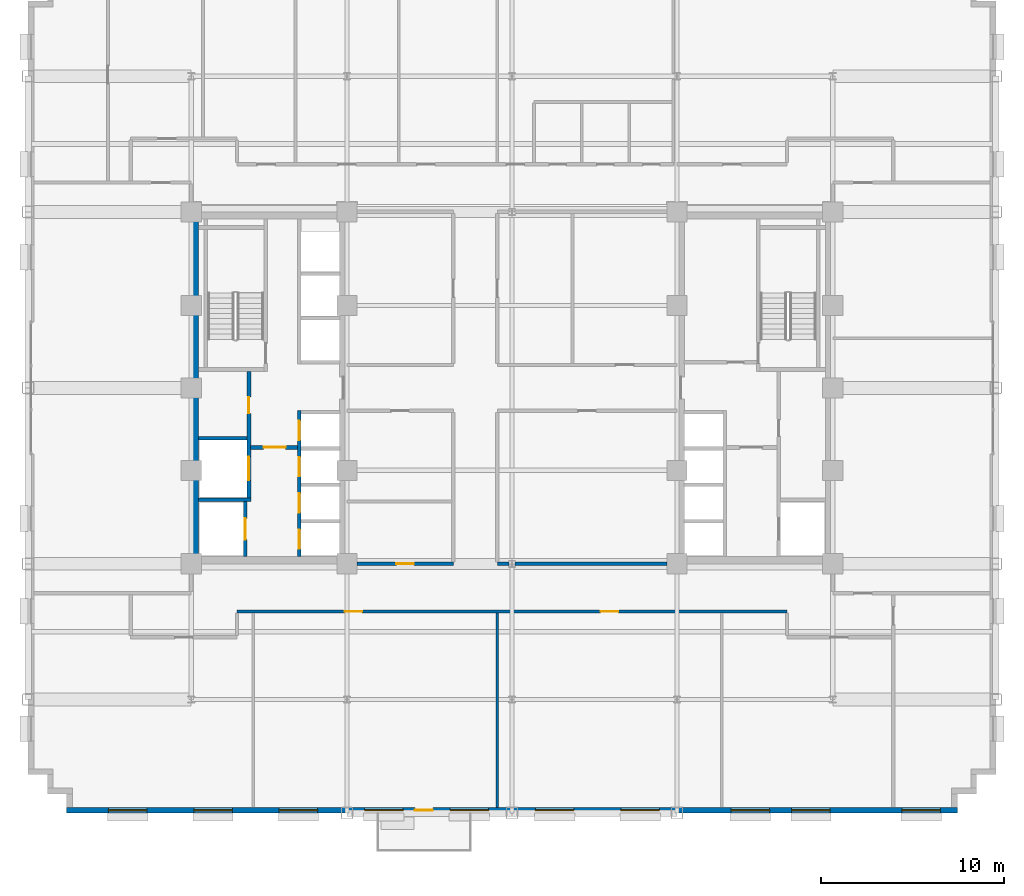
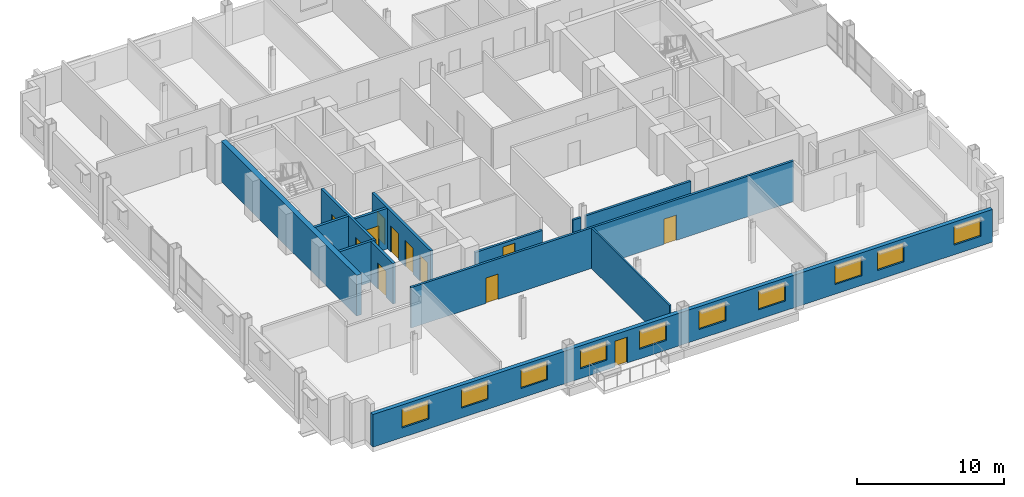
# One storey, part 6 of 16: 13 walls, 12 doors, 10 windows, 22 openings.
"""IFC4 building model written with IfcOpenShell, lengths in metres."""

from ifc_helpers import new_model, si_unit, direction, frame, frame_2d, origin, place, context, subcontext, project, spatial, rectangle, extrude, source, transform, mapped, material, layer, layer_set, type_object, type_shapes, element, fill, save


model = new_model("IFC4")

# Units and contexts
model_context = context("Model", 3, precision=1e-05, world=origin(), true_north=direction((0.0, 1.0)))
body_context = subcontext(model_context, "Body", "Model", "MODEL_VIEW")
ifc_project = project(units=[si_unit("LENGTHUNIT", "METRE"), si_unit("AREAUNIT", "SQUARE_METRE"), si_unit("VOLUMEUNIT", "CUBIC_METRE"), si_unit("PLANEANGLEUNIT", "RADIAN"), si_unit("MASSUNIT", "GRAM", prefix="KILO")], contexts=[model_context])

# Site, building, storey
site_placement = place(None, origin())
site = spatial("IfcSite", under=ifc_project, at=site_placement, CompositionType="ELEMENT")
building_placement = place(site_placement, origin())
building = spatial("IfcBuilding", under=site, at=building_placement, Name="Nuvemarco Arch Tower", CompositionType="ELEMENT")
storey_placement = place(building_placement, frame((0.0, 0.0, 116.550048828125)))
storey = spatial("IfcBuildingStorey", under=building, at=storey_placement, Name="L30", CompositionType="ELEMENT", Elevation=116.550048828125)

# Wall, openings, door, windows
ifc_material_1 = material(Name="Precast concrete C45/55", Category="concrete")
ifc_layer_1 = layer(ifc_material_1, 0.320068359375, Name="EW-MID-320")
ifc_layer_set_1 = layer_set([ifc_layer_1], Name="Precast concrete C45/55")
wall_type_1 = type_object("IfcWallType", Name="EW-MID-320", PredefinedType="STANDARD", material=ifc_layer_set_1)
wall_1_placement = place(storey_placement, frame((-24.300048828125, -23.0400390625, 0.0), z_axis=(0.0, 0.0, 1.0), x_axis=(1.0, 0.0, 0.0)))
wall_1 = element("IfcWall", 1, at=wall_1_placement, inside=storey, type_object=wall_type_1, Name="L30 exterior precast facade wall 1", PredefinedType="STANDARD", context=body_context, shape_type="SweptSolid", body=[
    extrude(rectangle(XDim=48.60009765625, YDim=0.320068359375, at=frame_2d((24.300048828125, 0.0))), origin(), (0.0, 0.0, 1.0), 2.704833984375),
])
opening_1_placement = place(wall_1_placement, frame((19.97998046875, 0.0, 0.0), z_axis=(0.0, 0.0, 1.0), x_axis=(-1.0, 0.0, 0.0)))
opening_1 = element("IfcOpeningElement", 2, at=opening_1_placement, cuts=wall_1, Name="Opening ED-6", PredefinedType="OPENING", context=body_context, shape_type="SweptSolid", body=[
    extrude(rectangle(XDim=0.97998046875, YDim=2.14990234375, at=frame_2d((0.489990234375, 1.074951171875))), frame((0.0, 0.169921875, 0.0), z_axis=(0.0, -1.0, 0.0), x_axis=(1.0, 0.0, 0.0)), (0.0, 0.0, 1.0), 0.340087890625),
])
opening_2_placement = place(wall_1_placement, frame((2.280029296875, 0.0, 0.800048828125)))
opening_2 = element("IfcOpeningElement", 3, at=opening_2_placement, cuts=wall_1, Name="Opening WN-5", PredefinedType="OPENING", context=body_context, shape_type="SweptSolid", body=[
    extrude(rectangle(XDim=2.10009765625, YDim=1.56005859375, at=frame_2d((1.050048828125, 0.780029296875))), frame((0.0, 0.169921875, 0.0), z_axis=(0.0, -1.0, 0.0), x_axis=(1.0, 0.0, 0.0)), (0.0, 0.0, 1.0), 0.340087890625),
])
opening_3_placement = place(wall_1_placement, frame((6.93994140625, 0.0, 0.800048828125)))
opening_3 = element("IfcOpeningElement", 4, at=opening_3_placement, cuts=wall_1, Name="Opening WN-5", PredefinedType="OPENING", context=body_context, shape_type="SweptSolid", body=[
    extrude(rectangle(XDim=2.10009765625, YDim=1.56005859375, at=frame_2d((1.050048828125, 0.780029296875))), frame((0.0, 0.169921875, 0.0), z_axis=(0.0, -1.0, 0.0), x_axis=(1.0, 0.0, 0.0)), (0.0, 0.0, 1.0), 0.340087890625),
])
opening_4_placement = place(wall_1_placement, frame((11.60009765625, 0.0, 0.800048828125)))
opening_4 = element("IfcOpeningElement", 5, at=opening_4_placement, cuts=wall_1, Name="Opening WN-5", PredefinedType="OPENING", context=body_context, shape_type="SweptSolid", body=[
    extrude(rectangle(XDim=2.10009765625, YDim=1.56005859375, at=frame_2d((1.050048828125, 0.780029296875))), frame((0.0, 0.169921875, 0.0), z_axis=(0.0, -1.0, 0.0), x_axis=(1.0, 0.0, 0.0)), (0.0, 0.0, 1.0), 0.340087890625),
])
opening_5_placement = place(wall_1_placement, frame((16.260009765625, 0.0, 0.800048828125)))
opening_5 = element("IfcOpeningElement", 6, at=opening_5_placement, cuts=wall_1, Name="Opening WN-5", PredefinedType="OPENING", context=body_context, shape_type="SweptSolid", body=[
    extrude(rectangle(XDim=2.10009765625, YDim=1.56005859375, at=frame_2d((1.050048828125, 0.780029296875))), frame((0.0, 0.169921875, 0.0), z_axis=(0.0, -1.0, 0.0), x_axis=(1.0, 0.0, 0.0)), (0.0, 0.0, 1.0), 0.340087890625),
])
opening_6_placement = place(wall_1_placement, frame((20.919921875, 0.0, 0.800048828125)))
opening_6 = element("IfcOpeningElement", 7, at=opening_6_placement, cuts=wall_1, Name="Opening WN-5", PredefinedType="OPENING", context=body_context, shape_type="SweptSolid", body=[
    extrude(rectangle(XDim=2.10009765625, YDim=1.56005859375, at=frame_2d((1.050048828125, 0.780029296875))), frame((0.0, 0.169921875, 0.0), z_axis=(0.0, -1.0, 0.0), x_axis=(1.0, 0.0, 0.0)), (0.0, 0.0, 1.0), 0.340087890625),
])
opening_7_placement = place(wall_1_placement, frame((25.580078125, 0.0, 0.800048828125)))
opening_7 = element("IfcOpeningElement", 8, at=opening_7_placement, cuts=wall_1, Name="Opening WN-5", PredefinedType="OPENING", context=body_context, shape_type="SweptSolid", body=[
    extrude(rectangle(XDim=2.10009765625, YDim=1.56005859375, at=frame_2d((1.050048828125, 0.780029296875))), frame((0.0, 0.169921875, 0.0), z_axis=(0.0, -1.0, 0.0), x_axis=(1.0, 0.0, 0.0)), (0.0, 0.0, 1.0), 0.340087890625),
])
opening_8_placement = place(wall_1_placement, frame((30.239990234375, 0.0, 0.800048828125)))
opening_8 = element("IfcOpeningElement", 9, at=opening_8_placement, cuts=wall_1, Name="Opening WN-5", PredefinedType="OPENING", context=body_context, shape_type="SweptSolid", body=[
    extrude(rectangle(XDim=2.10009765625, YDim=1.56005859375, at=frame_2d((1.050048828125, 0.780029296875))), frame((0.0, 0.169921875, 0.0), z_axis=(0.0, -1.0, 0.0), x_axis=(1.0, 0.0, 0.0)), (0.0, 0.0, 1.0), 0.340087890625),
])
opening_9_placement = place(wall_1_placement, frame((36.25, 0.0, 0.800048828125)))
opening_9 = element("IfcOpeningElement", 10, at=opening_9_placement, cuts=wall_1, Name="Opening WN-5", PredefinedType="OPENING", context=body_context, shape_type="SweptSolid", body=[
    extrude(rectangle(XDim=2.10009765625, YDim=1.56005859375, at=frame_2d((1.050048828125, 0.780029296875))), frame((0.0, 0.169921875, 0.0), z_axis=(0.0, -1.0, 0.0), x_axis=(1.0, 0.0, 0.0)), (0.0, 0.0, 1.0), 0.340087890625),
])
opening_10_placement = place(wall_1_placement, frame((39.56005859375, 0.0, 0.800048828125)))
opening_10 = element("IfcOpeningElement", 11, at=opening_10_placement, cuts=wall_1, Name="Opening WN-5", PredefinedType="OPENING", context=body_context, shape_type="SweptSolid", body=[
    extrude(rectangle(XDim=2.10009765625, YDim=1.56005859375, at=frame_2d((1.050048828125, 0.780029296875))), frame((0.0, 0.169921875, 0.0), z_axis=(0.0, -1.0, 0.0), x_axis=(1.0, 0.0, 0.0)), (0.0, 0.0, 1.0), 0.340087890625),
])
opening_11_placement = place(wall_1_placement, frame((45.570068359375, 0.0, 0.800048828125)))
opening_11 = element("IfcOpeningElement", 12, at=opening_11_placement, cuts=wall_1, Name="Opening WN-5", PredefinedType="OPENING", context=body_context, shape_type="SweptSolid", body=[
    extrude(rectangle(XDim=2.10009765625, YDim=1.56005859375, at=frame_2d((1.050048828125, 0.780029296875))), frame((0.0, 0.169921875, 0.0), z_axis=(0.0, -1.0, 0.0), x_axis=(1.0, 0.0, 0.0)), (0.0, 0.0, 1.0), 0.340087890625),
])
ifc_material_2 = material(Name="Anodised bronze and laminated glass", Category="glass")
door_type_1 = type_object("IfcDoorType", Name="DR-EXT-BALC", OperationType="NOTDEFINED", PredefinedType="DOOR", material=ifc_material_2)
shared_shape_1 = source(origin(), body_context, "Body", "SweptSolid", [
    extrude(rectangle(XDim=0.97998046875, YDim=2.14990234375, at=frame_2d((0.489990234375, 1.074951171875))), frame((0.0, 0.02490234375, 0.0), z_axis=(0.0, -1.0, 0.0), x_axis=(1.0, 0.0, 0.0)), (0.0, 0.0, 1.0), 0.050048828125),
])
type_shapes(door_type_1, [shared_shape_1])
door_1_placement = place(opening_1_placement, origin())
door_1 = element("IfcDoor", 13, at=door_1_placement, inside=storey, type_object=door_type_1, Name="L30 tree balcony access door", OperationType="SINGLE_SWING_RIGHT", OverallHeight=2.14990234375, OverallWidth=0.97998046875, PredefinedType="DOOR", context=body_context, shape_type="MappedRepresentation", body=[
    mapped(shared_shape_1, transform((0.0, 0.0, 0.0), scale=1.0)),
])
fill(opening_1, door_1)
ifc_material_3 = material(Name="Insulated solar-control glass", Category="glass")
window_type = type_object("IfcWindowType", Name="WN-MID-2100x1560", PartitioningType="DOUBLE_PANEL_VERTICAL", PredefinedType="WINDOW", material=ifc_material_3)
shared_shape_2 = source(origin(), body_context, "Body", "SweptSolid", [
    extrude(rectangle(XDim=2.10009765625, YDim=1.56005859375, at=frame_2d((1.050048828125, 0.780029296875))), frame((0.0, 0.030029296875, 0.0), z_axis=(0.0, -1.0, 0.0), x_axis=(1.0, 0.0, 0.0)), (0.0, 0.0, 1.0), 0.06005859375),
])
type_shapes(window_type, [shared_shape_2])
window_1_placement = place(opening_2_placement, origin())
window_1 = element("IfcWindow", 14, at=window_1_placement, inside=storey, type_object=window_type, Name="L30 punched facade window 1", OverallHeight=1.56005859375, OverallWidth=2.10009765625, PartitioningType="SINGLE_PANEL", PredefinedType="WINDOW", context=body_context, shape_type="MappedRepresentation", body=[
    mapped(shared_shape_2, transform((0.0, 0.0, 0.0), scale=1.0)),
])
fill(opening_2, window_1)
window_2_placement = place(opening_3_placement, origin())
window_2 = element("IfcWindow", 15, at=window_2_placement, inside=storey, type_object=window_type, Name="L30 punched facade window 2", OverallHeight=1.56005859375, OverallWidth=2.10009765625, PartitioningType="SINGLE_PANEL", PredefinedType="WINDOW", context=body_context, shape_type="MappedRepresentation", body=[
    mapped(shared_shape_2, transform((0.0, 0.0, 0.0), scale=1.0)),
])
fill(opening_3, window_2)
window_3_placement = place(opening_4_placement, origin())
window_3 = element("IfcWindow", 16, at=window_3_placement, inside=storey, type_object=window_type, Name="L30 punched facade window 3", OverallHeight=1.56005859375, OverallWidth=2.10009765625, PartitioningType="SINGLE_PANEL", PredefinedType="WINDOW", context=body_context, shape_type="MappedRepresentation", body=[
    mapped(shared_shape_2, transform((0.0, 0.0, 0.0), scale=1.0)),
])
fill(opening_4, window_3)
window_4_placement = place(opening_5_placement, origin())
window_4 = element("IfcWindow", 17, at=window_4_placement, inside=storey, type_object=window_type, Name="L30 punched facade window 4", OverallHeight=1.56005859375, OverallWidth=2.10009765625, PartitioningType="SINGLE_PANEL", PredefinedType="WINDOW", context=body_context, shape_type="MappedRepresentation", body=[
    mapped(shared_shape_2, transform((0.0, 0.0, 0.0), scale=1.0)),
])
fill(opening_5, window_4)
window_5_placement = place(opening_6_placement, origin())
window_5 = element("IfcWindow", 18, at=window_5_placement, inside=storey, type_object=window_type, Name="L30 punched facade window 5", OverallHeight=1.56005859375, OverallWidth=2.10009765625, PartitioningType="SINGLE_PANEL", PredefinedType="WINDOW", context=body_context, shape_type="MappedRepresentation", body=[
    mapped(shared_shape_2, transform((0.0, 0.0, 0.0), scale=1.0)),
])
fill(opening_6, window_5)
window_6_placement = place(opening_7_placement, origin())
window_6 = element("IfcWindow", 19, at=window_6_placement, inside=storey, type_object=window_type, Name="L30 punched facade window 6", OverallHeight=1.56005859375, OverallWidth=2.10009765625, PartitioningType="SINGLE_PANEL", PredefinedType="WINDOW", context=body_context, shape_type="MappedRepresentation", body=[
    mapped(shared_shape_2, transform((0.0, 0.0, 0.0), scale=1.0)),
])
fill(opening_7, window_6)
window_7_placement = place(opening_8_placement, origin())
window_7 = element("IfcWindow", 20, at=window_7_placement, inside=storey, type_object=window_type, Name="L30 punched facade window 7", OverallHeight=1.56005859375, OverallWidth=2.10009765625, PartitioningType="SINGLE_PANEL", PredefinedType="WINDOW", context=body_context, shape_type="MappedRepresentation", body=[
    mapped(shared_shape_2, transform((0.0, 0.0, 0.0), scale=1.0)),
])
fill(opening_8, window_7)
window_8_placement = place(opening_9_placement, origin())
window_8 = element("IfcWindow", 21, at=window_8_placement, inside=storey, type_object=window_type, Name="L30 punched facade window 8", OverallHeight=1.56005859375, OverallWidth=2.10009765625, PartitioningType="SINGLE_PANEL", PredefinedType="WINDOW", context=body_context, shape_type="MappedRepresentation", body=[
    mapped(shared_shape_2, transform((0.0, 0.0, 0.0), scale=1.0)),
])
fill(opening_9, window_8)
window_9_placement = place(opening_10_placement, origin())
window_9 = element("IfcWindow", 22, at=window_9_placement, inside=storey, type_object=window_type, Name="L30 punched facade window 9", OverallHeight=1.56005859375, OverallWidth=2.10009765625, PartitioningType="SINGLE_PANEL", PredefinedType="WINDOW", context=body_context, shape_type="MappedRepresentation", body=[
    mapped(shared_shape_2, transform((0.0, 0.0, 0.0), scale=1.0)),
])
fill(opening_10, window_9)
window_10_placement = place(opening_11_placement, origin())
window_10 = element("IfcWindow", 23, at=window_10_placement, inside=storey, type_object=window_type, Name="L30 punched facade window 10", OverallHeight=1.56005859375, OverallWidth=2.10009765625, PartitioningType="SINGLE_PANEL", PredefinedType="WINDOW", context=body_context, shape_type="MappedRepresentation", body=[
    mapped(shared_shape_2, transform((0.0, 0.0, 0.0), scale=1.0)),
])
fill(opening_11, window_10)

# Wall
ifc_material_4 = material(Name="Concrete C60/75", Category="concrete")
ifc_layer_2 = layer(ifc_material_4, 0.39990234375, Name="WL-CORE-400")
ifc_layer_set_2 = layer_set([ifc_layer_2], Name="Concrete C60/75")
wall_type_2 = type_object("IfcWallType", Name="WL-CORE-400", PredefinedType="SHEAR", material=ifc_layer_set_2)
wall_2_placement = place(storey_placement, frame((-17.300048828125, -9.205078125, 0.0), z_axis=(0.0, 0.0, 1.0), x_axis=(0.0, 1.0, 0.0)))
element("IfcWall", 24, at=wall_2_placement, inside=storey, type_object=wall_type_2, Name="L30 W-core shear wall W", PredefinedType="SHEAR", context=body_context, shape_type="SweptSolid", body=[
    extrude(rectangle(XDim=18.41015625, YDim=0.39990234375, at=frame_2d((9.205078125, 0.0))), origin(), (0.0, 0.0, 1.0), 3.369873046875),
])

# Wall, openings, doors
ifc_material_5 = material(Name="Fire-rated gypsum drywall partition")
ifc_layer_3 = layer(ifc_material_5, 0.179931640625, Name="WL-CORR-180")
ifc_layer_set_3 = layer_set([ifc_layer_3], Name="Fire-rated gypsum drywall partition")
wall_type_3 = type_object("IfcWallType", Name="WL-CORR-180", PredefinedType="PARTITIONING", material=ifc_layer_set_3)
wall_3_placement = place(storey_placement, frame((-15.0, -12.199951171875, 0.0), z_axis=(0.0, 0.0, 1.0), x_axis=(1.0, 0.0, 0.0)))
wall_3 = element("IfcWall", 25, at=wall_3_placement, inside=storey, type_object=wall_type_3, Name="L30 interior wall IW-L30-003", PredefinedType="PARTITIONING", context=body_context, shape_type="SweptSolid", body=[
    extrude(rectangle(XDim=30.0, YDim=0.179931640625, at=frame_2d((15.0, 0.0))), origin(), (0.0, 0.0, 1.0), 3.35986328125),
])
opening_12_placement = place(wall_3_placement, frame((19.840087890625, 0.0, 0.0)))
opening_12 = element("IfcOpeningElement", 26, at=opening_12_placement, cuts=wall_3, Name="Opening FD-5", PredefinedType="OPENING", context=body_context, shape_type="SweptSolid", body=[
    extrude(rectangle(XDim=0.9599609375, YDim=2.10009765625, at=frame_2d((0.47998046875, 1.050048828125))), frame((0.0, 0.099853515625, 0.0), z_axis=(0.0, -1.0, 0.0), x_axis=(1.0, 0.0, 0.0)), (0.0, 0.0, 1.0), 0.199951171875),
])
opening_13_placement = place(wall_3_placement, frame((5.864990234375, 0.0, 0.0)))
opening_13 = element("IfcOpeningElement", 27, at=opening_13_placement, cuts=wall_3, Name="Opening FD-5", PredefinedType="OPENING", context=body_context, shape_type="SweptSolid", body=[
    extrude(rectangle(XDim=0.9599609375, YDim=2.10009765625, at=frame_2d((0.47998046875, 1.050048828125))), frame((0.0, 0.099853515625, 0.0), z_axis=(0.0, -1.0, 0.0), x_axis=(1.0, 0.0, 0.0)), (0.0, 0.0, 1.0), 0.199951171875),
])
ifc_material_6 = material(Name="Timber fire door", Category="wood")
door_type_2 = type_object("IfcDoorType", Name="DR-CORR-FD", OperationType="NOTDEFINED", PredefinedType="DOOR", material=ifc_material_6)
shared_shape_3 = source(origin(), body_context, "Body", "SweptSolid", [
    extrude(rectangle(XDim=0.9599609375, YDim=2.10009765625, at=frame_2d((0.47998046875, 1.050048828125))), frame((0.0, 0.02490234375, 0.0), z_axis=(0.0, -1.0, 0.0), x_axis=(1.0, 0.0, 0.0)), (0.0, 0.0, 1.0), 0.050048828125),
])
type_shapes(door_type_2, [shared_shape_3])
door_2_placement = place(opening_12_placement, origin())
door_2 = element("IfcDoor", 28, at=door_2_placement, inside=storey, type_object=door_type_2, Name="L30 door DR-L30-S_3", OperationType="SINGLE_SWING_LEFT", OverallHeight=2.10009765625, OverallWidth=0.9599609375, PredefinedType="DOOR", context=body_context, shape_type="MappedRepresentation", body=[
    mapped(shared_shape_3, transform((0.0, 0.0, 0.0), scale=1.0)),
])
fill(opening_12, door_2)
door_3_placement = place(opening_13_placement, origin())
door_3 = element("IfcDoor", 29, at=door_3_placement, inside=storey, type_object=door_type_2, Name="L30 door DR-L30-S_2", OperationType="SINGLE_SWING_RIGHT", OverallHeight=2.10009765625, OverallWidth=0.9599609375, PredefinedType="DOOR", context=body_context, shape_type="MappedRepresentation", body=[
    mapped(shared_shape_3, transform((0.0, 0.0, 0.0), scale=1.0)),
])
fill(opening_13, door_3)

# Wall, opening, door
wall_4_placement = place(storey_placement, frame((-8.4541015625, -9.60009765625, 0.0), z_axis=(0.0, 0.0, 1.0), x_axis=(1.0, 0.0, 0.0)))
wall_4 = element("IfcWall", 30, at=wall_4_placement, inside=storey, type_object=wall_type_3, Name="L30 interior wall IW-L30-006", PredefinedType="PARTITIONING", context=body_context, shape_type="SweptSolid", body=[
    extrude(rectangle(XDim=5.254150390625, YDim=0.179931640625, at=frame_2d((2.626953125, 0.0))), origin(), (0.0, 0.0, 1.0), 2.405029296875),
])
opening_14_placement = place(wall_4_placement, frame((2.14697265625, 0.0, 0.0)))
opening_14 = element("IfcOpeningElement", 31, at=opening_14_placement, cuts=wall_4, Name="Opening FD-5", PredefinedType="OPENING", context=body_context, shape_type="SweptSolid", body=[
    extrude(rectangle(XDim=0.9599609375, YDim=2.10009765625, at=frame_2d((0.47998046875, 1.050048828125))), frame((0.0, 0.099853515625, 0.0), z_axis=(0.0, -1.0, 0.0), x_axis=(1.0, 0.0, 0.0)), (0.0, 0.0, 1.0), 0.199951171875),
])
door_4_placement = place(opening_14_placement, origin())
door_4 = element("IfcDoor", 32, at=door_4_placement, inside=storey, type_object=door_type_2, Name="L30 door DR-L30-C_SW2", OperationType="SINGLE_SWING_RIGHT", OverallHeight=2.10009765625, OverallWidth=0.9599609375, PredefinedType="DOOR", context=body_context, shape_type="MappedRepresentation", body=[
    mapped(shared_shape_3, transform((0.0, 0.0, 0.0), scale=1.0)),
])
fill(opening_14, door_4)

# Walls
wall_5_placement = place(storey_placement, frame((-0.800048828125, -9.60009765625, 0.0), z_axis=(0.0, 0.0, 1.0), x_axis=(1.0, 0.0, 0.0)))
element("IfcWall", 33, at=wall_5_placement, inside=storey, type_object=wall_type_3, Name="L30 interior wall IW-L30-007", PredefinedType="PARTITIONING", context=body_context, shape_type="SweptSolid", body=[
    extrude(rectangle(XDim=0.6240234375, YDim=0.179931640625, at=frame_2d((0.31201171875, 0.0))), origin(), (0.0, 0.0, 1.0), 2.405029296875),
])
wall_6_placement = place(storey_placement, frame((0.176025390625, -9.60009765625, 0.0), z_axis=(0.0, 0.0, 1.0), x_axis=(1.0, 0.0, 0.0)))
element("IfcWall", 34, at=wall_6_placement, inside=storey, type_object=wall_type_3, Name="L30 interior wall IW-L30-008", PredefinedType="PARTITIONING", context=body_context, shape_type="SweptSolid", body=[
    extrude(rectangle(XDim=8.278076171875, YDim=0.179931640625, at=frame_2d((4.13916015625, 0.0))), origin(), (0.0, 0.0, 1.0), 2.405029296875),
])
ifc_material_7 = material(Name="Glazed acoustic office partition")
ifc_layer_4 = layer(ifc_material_7, 0.1298828125, Name="WL-EXEC-130")
ifc_layer_set_4 = layer_set([ifc_layer_4], Name="Glazed acoustic office partition")
wall_type_4 = type_object("IfcWallType", Name="WL-EXEC-130", PredefinedType="PARTITIONING", material=ifc_layer_set_4)
wall_7_placement = place(storey_placement, frame((-0.800048828125, -22.8798828125, 0.0), z_axis=(0.0, 0.0, 1.0), x_axis=(0.0, 1.0, 0.0)))
element("IfcWall", 35, at=wall_7_placement, inside=storey, type_object=wall_type_4, Name="L30 interior wall IW-L30-038", PredefinedType="PARTITIONING", context=body_context, shape_type="SweptSolid", body=[
    extrude(rectangle(XDim=10.593994140625, YDim=0.1298828125, at=frame_2d((5.296875, 0.0))), origin(), (0.0, 0.0, 1.0), 3.35986328125),
])

# Wall, opening, door
ifc_material_8 = material(Name="Concrete C50/60", Category="concrete")
ifc_layer_5 = layer(ifc_material_8, 0.199951171875, Name="WL-SHAFT-220")
ifc_layer_set_5 = layer_set([ifc_layer_5], Name="Concrete C50/60")
wall_type_5 = type_object("IfcWallType", Name="WL-SHAFT-220", PredefinedType="SHEAR", material=ifc_layer_set_5)
wall_8_placement = place(storey_placement, frame((-14.550048828125, -9.205078125, 0.0), z_axis=(0.0, 0.0, 1.0), x_axis=(0.0, 1.0, 0.0)))
wall_8 = element("IfcWall", 36, at=wall_8_placement, inside=storey, type_object=wall_type_5, Name="L30 structural shaft wall SW-L30-W-SHE", PredefinedType="SHEAR", context=body_context, shape_type="SweptSolid", body=[
    extrude(rectangle(XDim=3.010009765625, YDim=0.199951171875, at=frame_2d((1.5048828125, 0.0))), origin(), (0.0, 0.0, 1.0), 3.369873046875),
])
opening_15_placement = place(wall_8_placement, frame((0.929931640625, 0.0, 0.0)))
opening_15 = element("IfcOpeningElement", 37, at=opening_15_placement, cuts=wall_8, Name="Opening LD-2", PredefinedType="OPENING", context=body_context, shape_type="SweptSolid", body=[
    extrude(rectangle(XDim=1.14990234375, YDim=2.14990234375, at=frame_2d((0.574951171875, 1.074951171875))), frame((0.0, 0.10986328125, 0.0), z_axis=(0.0, -1.0, 0.0), x_axis=(1.0, 0.0, 0.0)), (0.0, 0.0, 1.0), 0.219970703125),
])
ifc_material_9 = material(Name="Stainless steel lift door", Category="steel")
door_type_3 = type_object("IfcDoorType", Name="DR-LIFT-FIRE", OperationType="DOUBLE_DOOR_SLIDING", PredefinedType="DOOR", material=ifc_material_9)
shared_shape_4 = source(origin(), body_context, "Body", "SweptSolid", [
    extrude(rectangle(XDim=1.14990234375, YDim=2.14990234375, at=frame_2d((0.574951171875, 1.074951171875))), frame((0.0, 0.02490234375, 0.0), z_axis=(0.0, -1.0, 0.0), x_axis=(1.0, 0.0, 0.0)), (0.0, 0.0, 1.0), 0.050048828125),
])
type_shapes(door_type_3, [shared_shape_4])
door_5_placement = place(opening_15_placement, origin())
door_5 = element("IfcDoor", 38, at=door_5_placement, inside=storey, type_object=door_type_3, Name="L30 Lift landing sliding door FFL-1", OperationType="DOUBLE_DOOR_SLIDING", OverallHeight=2.14990234375, OverallWidth=1.14990234375, PredefinedType="DOOR", context=body_context, shape_type="MappedRepresentation", body=[
    mapped(shared_shape_4, transform((0.0, 0.0, 0.0), scale=1.0)),
])
fill(opening_15, door_5)

# Wall, openings, doors
wall_9_placement = place(storey_placement, frame((-14.35009765625, -6.199951171875, 0.0), z_axis=(0.0, 0.0, 1.0), x_axis=(0.0, 1.0, 0.0)))
wall_9 = element("IfcWall", 39, at=wall_9_placement, inside=storey, type_object=wall_type_5, Name="L30 structural shaft wall SW-L30-W-SVE", PredefinedType="SHEAR", context=body_context, shape_type="SweptSolid", body=[
    extrude(rectangle(XDim=7.10498046875, YDim=0.199951171875, at=frame_2d((3.552490234375, 0.0))), origin(), (0.0, 0.0, 1.0), 3.369873046875),
])
opening_16_placement = place(wall_9_placement, frame((5.68994140625, 0.0, 0.0), z_axis=(0.0, 0.0, 1.0), x_axis=(-1.0, 0.0, 0.0)))
opening_16 = element("IfcOpeningElement", 40, at=opening_16_placement, cuts=wall_9, Name="Opening FD-4", PredefinedType="OPENING", context=body_context, shape_type="SweptSolid", body=[
    extrude(rectangle(XDim=0.8798828125, YDim=2.10009765625, at=frame_2d((0.43994140625, 1.050048828125))), frame((0.0, 0.10986328125, 0.0), z_axis=(0.0, -1.0, 0.0), x_axis=(1.0, 0.0, 0.0)), (0.0, 0.0, 1.0), 0.219970703125),
])
opening_17_placement = place(wall_9_placement, frame((1.14990234375, 0.0, 0.0)))
opening_17 = element("IfcOpeningElement", 41, at=opening_17_placement, cuts=wall_9, Name="Opening LD-3", PredefinedType="OPENING", context=body_context, shape_type="SweptSolid", body=[
    extrude(rectangle(XDim=1.300048828125, YDim=2.199951171875, at=frame_2d((0.64990234375, 1.10009765625))), frame((0.0, 0.10986328125, 0.0), z_axis=(0.0, -1.0, 0.0), x_axis=(1.0, 0.0, 0.0)), (0.0, 0.0, 1.0), 0.219970703125),
])
ifc_material_10 = material(Name="Anodised steel fire door", Category="steel")
door_type_4 = type_object("IfcDoorType", Name="DR-RISER-FD", OperationType="NOTDEFINED", PredefinedType="DOOR", material=ifc_material_10)
shared_shape_5 = source(origin(), body_context, "Body", "SweptSolid", [
    extrude(rectangle(XDim=0.8798828125, YDim=2.10009765625, at=frame_2d((0.43994140625, 1.050048828125))), frame((0.0, 0.02490234375, 0.0), z_axis=(0.0, -1.0, 0.0), x_axis=(1.0, 0.0, 0.0)), (0.0, 0.0, 1.0), 0.050048828125),
])
type_shapes(door_type_4, [shared_shape_5])
door_6_placement = place(opening_16_placement, origin())
door_6 = element("IfcDoor", 42, at=door_6_placement, inside=storey, type_object=door_type_4, Name="L30 door FD-L30-WRIS", OperationType="SINGLE_SWING_RIGHT", OverallHeight=2.10009765625, OverallWidth=0.8798828125, PredefinedType="DOOR", context=body_context, shape_type="MappedRepresentation", body=[
    mapped(shared_shape_5, transform((0.0, 0.0, 0.0), scale=1.0)),
])
fill(opening_16, door_6)
door_type_5 = type_object("IfcDoorType", Name="DR-LIFT-SERV", OperationType="DOUBLE_DOOR_SLIDING", PredefinedType="DOOR", material=ifc_material_9)
shared_shape_6 = source(origin(), body_context, "Body", "SweptSolid", [
    extrude(rectangle(XDim=1.300048828125, YDim=2.199951171875, at=frame_2d((0.64990234375, 1.10009765625))), frame((0.0, 0.02490234375, 0.0), z_axis=(0.0, -1.0, 0.0), x_axis=(1.0, 0.0, 0.0)), (0.0, 0.0, 1.0), 0.050048828125),
])
type_shapes(door_type_5, [shared_shape_6])
door_7_placement = place(opening_17_placement, origin())
door_7 = element("IfcDoor", 43, at=door_7_placement, inside=storey, type_object=door_type_5, Name="L30 Lift landing sliding door SVL-1", OperationType="DOUBLE_DOOR_SLIDING", OverallHeight=2.199951171875, OverallWidth=1.300048828125, PredefinedType="DOOR", context=body_context, shape_type="MappedRepresentation", body=[
    mapped(shared_shape_6, transform((0.0, 0.0, 0.0), scale=1.0)),
])
fill(opening_17, door_7)

# Walls
wall_10_placement = place(storey_placement, frame((-17.10498046875, -6.10009765625, 0.0), z_axis=(0.0, 0.0, 1.0), x_axis=(1.0, 0.0, 0.0)))
element("IfcWall", 44, at=wall_10_placement, inside=storey, type_object=wall_type_5, Name="L30 structural shaft wall SW-L30-W-SH1", PredefinedType="SHEAR", context=body_context, shape_type="SweptSolid", body=[
    extrude(rectangle(XDim=2.85498046875, YDim=0.199951171875, at=frame_2d((1.427490234375, 0.0))), origin(), (0.0, 0.0, 1.0), 3.369873046875),
])
wall_11_placement = place(storey_placement, frame((-17.10498046875, -2.75, 0.0), z_axis=(0.0, 0.0, 1.0), x_axis=(1.0, 0.0, 0.0)))
element("IfcWall", 45, at=wall_11_placement, inside=storey, type_object=wall_type_5, Name="L30 structural shaft wall SW-L30-W-SH2", PredefinedType="SHEAR", context=body_context, shape_type="SweptSolid", body=[
    extrude(rectangle(XDim=2.659912109375, YDim=0.199951171875, at=frame_2d((1.330078125, 0.0))), origin(), (0.0, 0.0, 1.0), 3.369873046875),
])

# Wall, openings, doors
wall_12_placement = place(storey_placement, frame((-11.60009765625, -9.205078125, 0.0), z_axis=(0.0, 0.0, 1.0), x_axis=(0.0, 1.0, 0.0)))
wall_12 = element("IfcWall", 46, at=wall_12_placement, inside=storey, type_object=wall_type_5, Name="L30 structural shaft wall SW-L30-W-PLW", PredefinedType="SHEAR", context=body_context, shape_type="SweptSolid", body=[
    extrude(rectangle(XDim=7.97509765625, YDim=0.199951171875, at=frame_2d((3.987548828125, 0.0))), origin(), (0.0, 0.0, 1.0), 3.369873046875),
])
opening_18_placement = place(wall_12_placement, frame((0.419921875, 0.0, 0.0)))
opening_18 = element("IfcOpeningElement", 47, at=opening_18_placement, cuts=wall_12, Name="Opening LD-1", PredefinedType="OPENING", context=body_context, shape_type="SweptSolid", body=[
    extrude(rectangle(XDim=1.050048828125, YDim=2.14990234375, at=frame_2d((0.52490234375, 1.074951171875))), frame((0.0, 0.10986328125, 0.0), z_axis=(0.0, -1.0, 0.0), x_axis=(1.0, 0.0, 0.0)), (0.0, 0.0, 1.0), 0.219970703125),
])
opening_19_placement = place(wall_12_placement, frame((2.39990234375, 0.0, 0.0)))
opening_19 = element("IfcOpeningElement", 48, at=opening_19_placement, cuts=wall_12, Name="Opening LD-1", PredefinedType="OPENING", context=body_context, shape_type="SweptSolid", body=[
    extrude(rectangle(XDim=1.050048828125, YDim=2.14990234375, at=frame_2d((0.52490234375, 1.074951171875))), frame((0.0, 0.10986328125, 0.0), z_axis=(0.0, -1.0, 0.0), x_axis=(1.0, 0.0, 0.0)), (0.0, 0.0, 1.0), 0.219970703125),
])
opening_20_placement = place(wall_12_placement, frame((4.3798828125, 0.0, 0.0)))
opening_20 = element("IfcOpeningElement", 49, at=opening_20_placement, cuts=wall_12, Name="Opening LD-1", PredefinedType="OPENING", context=body_context, shape_type="SweptSolid", body=[
    extrude(rectangle(XDim=1.050048828125, YDim=2.14990234375, at=frame_2d((0.52490234375, 1.074951171875))), frame((0.0, 0.10986328125, 0.0), z_axis=(0.0, -1.0, 0.0), x_axis=(1.0, 0.0, 0.0)), (0.0, 0.0, 1.0), 0.219970703125),
])
opening_21_placement = place(wall_12_placement, frame((6.360107421875, 0.0, 0.0)))
opening_21 = element("IfcOpeningElement", 50, at=opening_21_placement, cuts=wall_12, Name="Opening LD-1", PredefinedType="OPENING", context=body_context, shape_type="SweptSolid", body=[
    extrude(rectangle(XDim=1.050048828125, YDim=2.14990234375, at=frame_2d((0.52490234375, 1.074951171875))), frame((0.0, 0.10986328125, 0.0), z_axis=(0.0, -1.0, 0.0), x_axis=(1.0, 0.0, 0.0)), (0.0, 0.0, 1.0), 0.219970703125),
])
door_type_6 = type_object("IfcDoorType", Name="DR-LIFT-PASS", OperationType="DOUBLE_DOOR_SLIDING", PredefinedType="DOOR", material=ifc_material_9)
shared_shape_7 = source(origin(), body_context, "Body", "SweptSolid", [
    extrude(rectangle(XDim=1.050048828125, YDim=2.14990234375, at=frame_2d((0.52490234375, 1.074951171875))), frame((0.0, 0.02490234375, 0.0), z_axis=(0.0, -1.0, 0.0), x_axis=(1.0, 0.0, 0.0)), (0.0, 0.0, 1.0), 0.050048828125),
])
type_shapes(door_type_6, [shared_shape_7])
door_8_placement = place(opening_18_placement, origin())
door_8 = element("IfcDoor", 51, at=door_8_placement, inside=storey, type_object=door_type_6, Name="L30 Lift landing sliding door PL-1", OperationType="DOUBLE_DOOR_SLIDING", OverallHeight=2.14990234375, OverallWidth=1.050048828125, PredefinedType="DOOR", context=body_context, shape_type="MappedRepresentation", body=[
    mapped(shared_shape_7, transform((0.0, 0.0, 0.0), scale=1.0)),
])
fill(opening_18, door_8)
door_9_placement = place(opening_19_placement, origin())
door_9 = element("IfcDoor", 52, at=door_9_placement, inside=storey, type_object=door_type_6, Name="L30 Lift landing sliding door PL-2", OperationType="DOUBLE_DOOR_SLIDING", OverallHeight=2.14990234375, OverallWidth=1.050048828125, PredefinedType="DOOR", context=body_context, shape_type="MappedRepresentation", body=[
    mapped(shared_shape_7, transform((0.0, 0.0, 0.0), scale=1.0)),
])
fill(opening_19, door_9)
door_10_placement = place(opening_20_placement, origin())
door_10 = element("IfcDoor", 53, at=door_10_placement, inside=storey, type_object=door_type_6, Name="L30 Lift landing sliding door PL-3", OperationType="DOUBLE_DOOR_SLIDING", OverallHeight=2.14990234375, OverallWidth=1.050048828125, PredefinedType="DOOR", context=body_context, shape_type="MappedRepresentation", body=[
    mapped(shared_shape_7, transform((0.0, 0.0, 0.0), scale=1.0)),
])
fill(opening_20, door_10)
door_11_placement = place(opening_21_placement, origin())
door_11 = element("IfcDoor", 54, at=door_11_placement, inside=storey, type_object=door_type_6, Name="L30 Lift landing sliding door PL-4", OperationType="DOUBLE_DOOR_SLIDING", OverallHeight=2.14990234375, OverallWidth=1.050048828125, PredefinedType="DOOR", context=body_context, shape_type="MappedRepresentation", body=[
    mapped(shared_shape_7, transform((0.0, 0.0, 0.0), scale=1.0)),
])
fill(opening_21, door_11)

# Wall, opening, door
wall_13_placement = place(storey_placement, frame((-14.2548828125, -3.25, 0.0), z_axis=(0.0, 0.0, 1.0), x_axis=(1.0, 0.0, 0.0)))
wall_13 = element("IfcWall", 55, at=wall_13_placement, inside=storey, type_object=wall_type_5, Name="L30 structural shaft wall SW-L30-W-FFN", PredefinedType="SHEAR", context=body_context, shape_type="SweptSolid", body=[
    extrude(rectangle(XDim=2.559814453125, YDim=0.199951171875, at=frame_2d((1.27978515625, 0.0))), origin(), (0.0, 0.0, 1.0), 3.369873046875),
])
opening_22_placement = place(wall_13_placement, frame((0.705078125, 0.0, 0.0)))
opening_22 = element("IfcOpeningElement", 56, at=opening_22_placement, cuts=wall_13, Name="Opening FD-2", PredefinedType="OPENING", context=body_context, shape_type="SweptSolid", body=[
    extrude(rectangle(XDim=1.199951171875, YDim=2.14990234375, at=frame_2d((0.60009765625, 1.074951171875))), frame((0.0, 0.10986328125, 0.0), z_axis=(0.0, -1.0, 0.0), x_axis=(1.0, 0.0, 0.0)), (0.0, 0.0, 1.0), 0.219970703125),
])
door_type_7 = type_object("IfcDoorType", Name="DR-FFLOB-FD", OperationType="NOTDEFINED", PredefinedType="DOOR", material=ifc_material_10)
shared_shape_8 = source(origin(), body_context, "Body", "SweptSolid", [
    extrude(rectangle(XDim=1.199951171875, YDim=2.14990234375, at=frame_2d((0.60009765625, 1.074951171875))), frame((0.0, 0.02490234375, 0.0), z_axis=(0.0, -1.0, 0.0), x_axis=(1.0, 0.0, 0.0)), (0.0, 0.0, 1.0), 0.050048828125),
])
type_shapes(door_type_7, [shared_shape_8])
door_12_placement = place(opening_22_placement, origin())
door_12 = element("IfcDoor", 57, at=door_12_placement, inside=storey, type_object=door_type_7, Name="L30 door FD-L30-WFF1", OperationType="SINGLE_SWING_RIGHT", OverallHeight=2.14990234375, OverallWidth=1.199951171875, PredefinedType="DOOR", context=body_context, shape_type="MappedRepresentation", body=[
    mapped(shared_shape_8, transform((0.0, 0.0, 0.0), scale=1.0)),
])
fill(opening_22, door_12)

save(model, "model.ifc")
